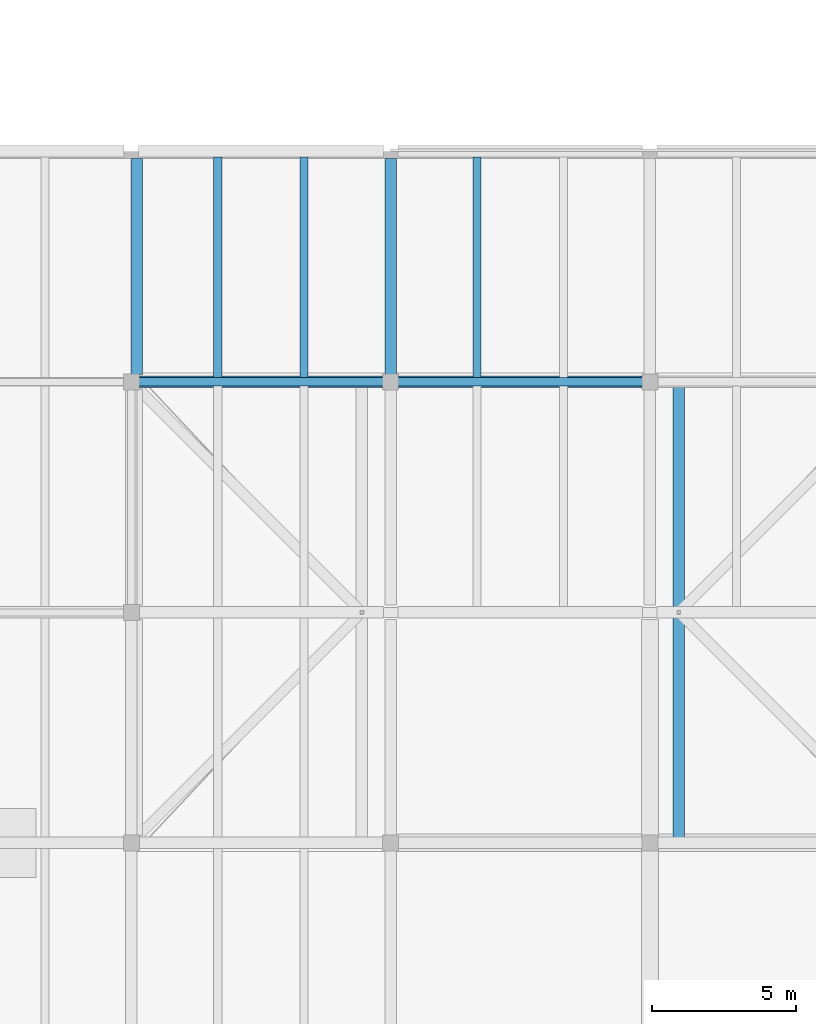
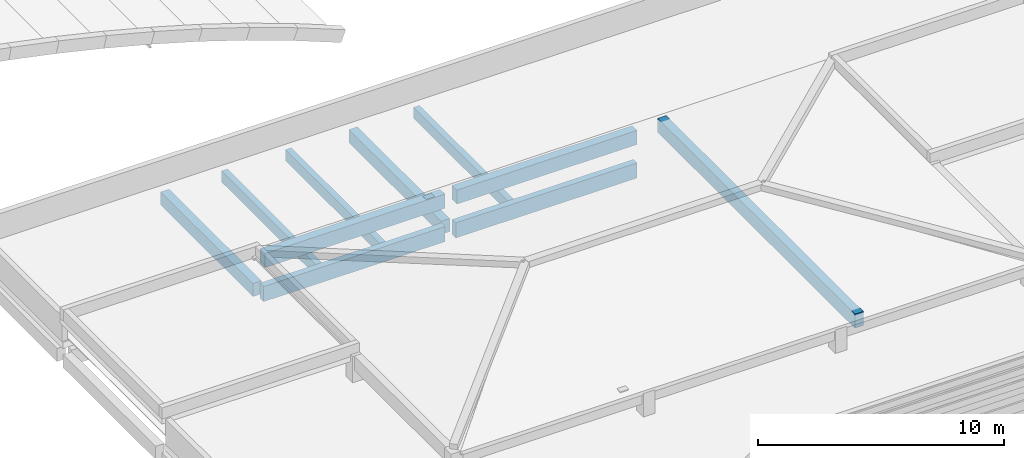
# One storey, part 26 of 56: 10 beams.
"""IFC4 building model written with IfcOpenShell, lengths in metres."""

import ifcopenshell
import ifcopenshell.guid

model = None  # the IFC model being written
_history = None  # IfcOwnerHistory: only IFC2X3 demands one
_inside = {}  # id of a spatial element -> (the spatial element, [elements in it])
_under = {}  # id of a project, library or spatial element -> (it, [spatial elements below it])
_declared = {}  # id of a project -> (the project, [libraries it declares])
_typed = {}  # id of a type object -> (the type object, [elements of that type])
_made_of = {}  # id of a material, layer set ... -> (it, [elements and type objects made of it])


def new_model(schema):
    """Start an empty IFC model of exactly this schema.

    Asked for "IFC4X3", IfcOpenShell would pick the latest addendum, in which some entities
    have other attributes; the version numbers below select the first issue.
    IFC2X3 requires an IfcOwnerHistory on every rooted entity: one is made here for all.
    """
    global model, _history
    if schema == "IFC4X3":
        model = ifcopenshell.file(schema_version=(4, 3, 0, 0))
    else:
        model = ifcopenshell.file(schema=schema)
    _inside.clear()
    _under.clear()
    _declared.clear()
    _typed.clear()
    _made_of.clear()
    _history = None
    if model.schema == "IFC2X3":
        org = make("IfcOrganization", Name="unknown")
        user = make(
            "IfcPersonAndOrganization",
            ThePerson=make("IfcPerson", FamilyName="unknown"),
            TheOrganization=org,
        )
        app = make(
            "IfcApplication",
            ApplicationDeveloper=org,
            Version="unknown",
            ApplicationFullName="unknown",
            ApplicationIdentifier="unknown",
        )
        _history = make(
            "IfcOwnerHistory",
            OwningUser=user,
            OwningApplication=app,
            ChangeAction="ADDED",
            CreationDate=0,
        )
    return model


def make(cls, **values):
    """One entity of the class cls with the attributes given. An attribute that is None is left unset."""
    return model.create_entity(
        cls, **{name: value for name, value in values.items() if value is not None}
    )


def rooted(cls, **values):
    """An entity with a GlobalId (a new one), such as an element, a storey or a relation."""
    return make(cls, GlobalId=ifcopenshell.guid.new(), OwnerHistory=_history, **values)


def si_unit(unit_type, name, prefix=None):
    """IfcSIUnit, for example si_unit("LENGTHUNIT", "METRE", prefix="MILLI")."""
    return make("IfcSIUnit", UnitType=unit_type, Prefix=prefix, Name=name)


def assignment(units):
    """IfcUnitAssignment: the units of a project."""
    return None if units is None else make("IfcUnitAssignment", Units=units)


def point(xyz):
    """IfcCartesianPoint."""
    return None if xyz is None else make("IfcCartesianPoint", Coordinates=xyz)


def direction(xyz):
    """IfcDirection."""
    return None if xyz is None else make("IfcDirection", DirectionRatios=xyz)


def frame(location, z_axis=None, x_axis=None):
    """IfcAxis2Placement3D, a coordinate frame: its origin and axes. An axis left out is left unset."""
    return make(
        "IfcAxis2Placement3D",
        Location=point(location),
        Axis=direction(z_axis),
        RefDirection=direction(x_axis),
    )


def frame_2d(location, x_axis=None):
    """IfcAxis2Placement2D, a coordinate frame in the plane: its origin and x axis."""
    return make(
        "IfcAxis2Placement2D", Location=point(location), RefDirection=direction(x_axis)
    )


def origin():
    """The frame at (0, 0, 0) with its axes left unset."""
    return frame((0.0, 0.0, 0.0))


def origin_2d():
    """The frame at (0, 0) in the plane with its x axis left unset."""
    return frame_2d((0.0, 0.0))


def place(relative_to, where):
    """IfcLocalPlacement: puts the frame where relative to a parent placement (None: the world)."""
    return make(
        "IfcLocalPlacement", PlacementRelTo=relative_to, RelativePlacement=where
    )


def context(
    kind, dimensions, precision=None, world=None, true_north=None, identifier=None
):
    """IfcGeometricRepresentationContext, for example the 3D "Model" context."""
    return make(
        "IfcGeometricRepresentationContext",
        ContextIdentifier=identifier,
        ContextType=kind,
        CoordinateSpaceDimension=dimensions,
        Precision=precision,
        WorldCoordinateSystem=world,
        TrueNorth=true_north,
    )


def subcontext(parent, identifier, kind, view, scale=None):
    """IfcGeometricRepresentationSubContext, for example "Body" below "Model"."""
    return make(
        "IfcGeometricRepresentationSubContext",
        ContextIdentifier=identifier,
        ContextType=kind,
        ParentContext=parent,
        TargetScale=scale,
        TargetView=view,
    )


def project(units=None, contexts=None):
    """IfcProject with its units and contexts."""
    return rooted(
        "IfcProject",
        Name="project",
        RepresentationContexts=contexts,
        UnitsInContext=assignment(units),
    )


def spatial(cls, under=None, at=None, **own):
    """A site, building, storey or space (cls), placed at a placement, below another one or the project."""
    s = rooted(cls, ObjectPlacement=at, **own)
    if under is not None:
        _under.setdefault(under.id(), (under, []))[1].append(s)
    return s


def profile(cls, at=None, kind="AREA", **sizes):
    """A parametric profile (cls). Its sizes go by their IFC names, for example OverallWidth=200.0."""
    return make(cls, ProfileType=kind, Position=at, **sizes)


def rectangle(**sizes):
    """IfcRectangleProfileDef."""
    return profile("IfcRectangleProfileDef", **sizes)


def extrude(swept, where, along, depth):
    """IfcExtrudedAreaSolid: the profile swept, set in the frame where, extruded along a direction by depth."""
    return make(
        "IfcExtrudedAreaSolid",
        SweptArea=swept,
        Position=where,
        ExtrudedDirection=direction(along),
        Depth=depth,
    )


def shape(context_of_items, identifier, shape_type, items):
    """IfcShapeRepresentation: the items that make up one representation, for example the "Body"."""
    return make(
        "IfcShapeRepresentation",
        ContextOfItems=context_of_items,
        RepresentationIdentifier=identifier,
        RepresentationType=shape_type,
        Items=items,
    )


def material(Name=None, Category=None):
    """IfcMaterial."""
    return make("IfcMaterial", Name=Name, Category=Category)


def material_profile(
    of_material, cross_section, Name=None, Category=None, Priority=None
):
    """IfcMaterialProfile: a cross section and its material."""
    return make(
        "IfcMaterialProfile",
        Name=Name,
        Material=of_material,
        Profile=cross_section,
        Priority=Priority,
        Category=Category,
    )


def profile_set(profiles, Name=None, composite=None):
    """IfcMaterialProfileSet."""
    return make(
        "IfcMaterialProfileSet",
        Name=Name,
        MaterialProfiles=profiles,
        CompositeProfile=composite,
    )


def made_of(thing, what):
    """Note that an element or type object is made of a material, layer set ...; save() writes the relation."""
    if what is not None:
        _made_of.setdefault(what.id(), (what, []))[1].append(thing)
    return thing


def type_object(cls, material=None, **own):
    """A type object (cls), such as IfcWallType, which elements share."""
    return made_of(rooted(cls, **own), material)


def element(
    cls,
    number,
    at=None,
    inside=None,
    cuts=None,
    type_object=None,
    material=None,
    context=None,
    identifier="Body",
    shape_type=None,
    held_by="IfcProductDefinitionShape",
    body=None,
    shapes=None,
    **own,
):
    """One element of the class cls, such as IfcWall. Its Tag is "e" and its number.

    at: its placement. inside: the storey or other place that contains it. cuts: it is an
    opening in that element (IfcRelVoidsElement). A single representation is given by context,
    identifier, shape_type and body (its items); several are given by shapes. held_by: the class
    of the entity that holds the representations. save() writes the other relations.
    """
    e = rooted(cls, Tag="e%d" % number, ObjectPlacement=at, **own)
    if body is not None:
        shapes = [shape(context, identifier, shape_type, body)]
    if shapes is not None:
        e.Representation = make(held_by, Representations=shapes)
    if inside is not None:
        _inside.setdefault(inside.id(), (inside, []))[1].append(e)
    if cuts is not None:
        rooted(
            "IfcRelVoidsElement", RelatingBuildingElement=cuts, RelatedOpeningElement=e
        )
    if type_object is not None:
        _typed.setdefault(type_object.id(), (type_object, []))[1].append(e)
    return made_of(e, material)


def aggregate(whole, parts):
    """IfcRelAggregates: a whole, such as a stair, and the parts it consists of."""
    return rooted("IfcRelAggregates", RelatingObject=whole, RelatedObjects=parts)


def save(model, path):
    """Write the relations noted so far, then the file.

    IfcRelAggregates (storeys below a building ...), IfcRelContainedInSpatialStructure (elements
    in a storey), IfcRelDefinesByType, IfcRelAssociatesMaterial and IfcRelDeclares: one each for
    every whole, place, type object, material and project.
    """
    for whole, parts in _under.values():
        aggregate(whole, parts)
    for where, things in _inside.values():
        rooted(
            "IfcRelContainedInSpatialStructure",
            RelatedElements=things,
            RelatingStructure=where,
        )
    for kind, things in _typed.values():
        rooted("IfcRelDefinesByType", RelatedObjects=things, RelatingType=kind)
    for what, things in _made_of.values():
        rooted("IfcRelAssociatesMaterial", RelatedObjects=things, RelatingMaterial=what)
    for by, libraries in _declared.values():
        rooted("IfcRelDeclares", RelatingContext=by, RelatedDefinitions=libraries)
    model.write(path)


model = new_model("IFC4")

# Units and contexts
model_context = context("Model", 3, precision=1e-05, world=origin(), true_north=direction((0.0, 1.0)))
body_context = subcontext(model_context, "Body", "Model", "MODEL_VIEW")
ifc_project = project(units=[si_unit("LENGTHUNIT", "METRE"), si_unit("AREAUNIT", "SQUARE_METRE"), si_unit("VOLUMEUNIT", "CUBIC_METRE"), si_unit("PLANEANGLEUNIT", "RADIAN"), si_unit("MASSUNIT", "GRAM", prefix="KILO")], contexts=[model_context])

# Site, building, storey
site_placement = place(None, origin())
site = spatial("IfcSite", under=ifc_project, at=site_placement, CompositionType="ELEMENT")
building_placement = place(site_placement, origin())
building = spatial("IfcBuilding", under=site, at=building_placement, Name="Zacnel Wholesale Market", CompositionType="ELEMENT")
storey_placement = place(building_placement, frame((0.0, 0.0, 20.300048828125)))
storey = spatial("IfcBuildingStorey", under=building, at=storey_placement, Name="RF", CompositionType="ELEMENT", Elevation=20.300048828125)

# Beams
ifc_material_1 = material(Name="Precast concrete C45/55", Category="concrete")
ifc_material_profile_1 = material_profile(ifc_material_1, rectangle(XDim=0.280029296875, YDim=0.550048828125, at=origin_2d()), Name="DT RIB 280x550")
ifc_profile_set_1 = profile_set([ifc_material_profile_1], Name="Precast concrete C45/55")
beam_type_1 = type_object("IfcBeamType", Name="BM-DT550", PredefinedType="JOIST", material=ifc_profile_set_1)
for number, where, z_axis, x_axis, name in (
    (1, (165.0, 24.14990234375, -0.574951171875), (0.0, 1.0, 0.0), (-1.0, 0.0, 0.0), "Precast secondary joist RF-0819"),
    (2, (168.0, 24.14990234375, -0.574951171875), (0.0, 1.0, 0.0), (-1.0, 0.0, 0.0), "Precast secondary joist RF-0820"),
    (3, (174.0, 24.14990234375, -0.574951171875), (0.0, 1.0, 0.0), (-1.0, 0.0, 0.0), "Precast secondary joist RF-0821"),
):
    element("IfcBeam", number, at=place(storey_placement, frame(where, z_axis=z_axis, x_axis=x_axis)), inside=storey, type_object=beam_type_1, Name=name, PredefinedType="JOIST", context=body_context, shape_type="SweptSolid", body=[
        extrude(rectangle(XDim=0.280029296875, YDim=0.550048828125, at=origin_2d()), origin(), (0.0, 0.0, 1.0), 7.650146484375),
    ])
ifc_material_2 = material(Name="Precast concrete C45/55", Category="concrete")
ifc_material_profile_2 = material_profile(ifc_material_2, rectangle(XDim=0.39990234375, YDim=0.64990234375, at=origin_2d()), Name="PG 400x650")
ifc_profile_set_2 = profile_set([ifc_material_profile_2], Name="Precast concrete C45/55")
beam_type_2 = type_object("IfcBeamType", Name="BM-PG650", PredefinedType="BEAM", material=ifc_profile_set_2)
for number, where, z_axis, x_axis, name in (
    (4, (162.179931640625, 24.25, -0.625), (0.0, 1.0, 0.0), (-1.0, 0.0, 0.0), "Precast girder Y-1501"),
    (5, (171.0, 24.25, -0.625), (0.0, 1.0, 0.0), (-1.0, 0.0, 0.0), "Precast girder Y-1505"),
):
    element("IfcBeam", number, at=place(storey_placement, frame(where, z_axis=z_axis, x_axis=x_axis)), inside=storey, type_object=beam_type_2, Name=name, PredefinedType="BEAM", context=body_context, shape_type="SweptSolid", body=[
        extrude(rectangle(XDim=0.39990234375, YDim=0.64990234375, at=origin_2d()), origin(), (0.0, 0.0, 1.0), 7.5),
    ])
ifc_material_3 = material(Name="Precast concrete C45/55", Category="concrete")
ifc_material_profile_3 = material_profile(ifc_material_3, rectangle(XDim=0.39990234375, YDim=0.699951171875, at=origin_2d()), Name="PG 400x700")
ifc_profile_set_3 = profile_set([ifc_material_profile_3], Name="Precast concrete C45/55")
beam_type_3 = type_object("IfcBeamType", Name="BM-PG700", PredefinedType="BEAM", material=ifc_profile_set_3)
for number, where, z_axis, x_axis, name in (
    (6, (162.280029296875, 24.0, 1.0), (1.0, 0.0, 0.0), (0.0, 1.0, 0.0), "Attic crown girder X V5ZIG-04"),
    (7, (171.280029296875, 24.0, 1.0), (1.0, 0.0, 0.0), (0.0, 1.0, 0.0), "Attic crown girder X V5ZIG-05"),
):
    element("IfcBeam", number, at=place(storey_placement, frame(where, z_axis=z_axis, x_axis=x_axis)), inside=storey, type_object=beam_type_3, Name=name, PredefinedType="BEAM", context=body_context, shape_type="SweptSolid", body=[
        extrude(rectangle(XDim=0.39990234375, YDim=0.699951171875, at=origin_2d()), origin(), (0.0, 0.0, 1.0), 8.43994140625),
    ])
beam_placement = place(storey_placement, frame((181.0, 8.0, 1.099853515625), z_axis=(0.0, 1.0, 0.0), x_axis=(-1.0, 0.0, 0.0)))
element("IfcBeam", 8, at=beam_placement, inside=storey, type_object=beam_type_3, Name="Hipped crown tie beam STR-ROOF-V5ZIG-2", PredefinedType="BEAM", context=body_context, shape_type="SweptSolid", body=[
    extrude(rectangle(XDim=0.39990234375, YDim=0.699951171875, at=origin_2d()), origin(), (0.0, 0.0, 1.0), 16.0),
])
ifc_material_4 = material(Name="Precast concrete C45/55", Category="concrete")
ifc_material_profile_4 = material_profile(ifc_material_4, rectangle(XDim=0.300048828125, YDim=0.75, at=origin_2d()), Name="SP 300x750")
ifc_profile_set_4 = profile_set([ifc_material_profile_4], Name="Precast concrete C45/55")
beam_type_4 = type_object("IfcBeamType", Name="BM-SP750", PredefinedType="SPANDREL", material=ifc_profile_set_4)
for number, where, z_axis, x_axis, name in (
    (9, (162.25, 24.0, -0.675048828125), (1.0, 0.0, 0.0), (0.0, 1.0, 0.0), "Precast girder X-1343"),
    (10, (171.25, 24.0, -0.675048828125), (1.0, 0.0, 0.0), (0.0, 1.0, 0.0), "Precast girder X-1344"),
):
    element("IfcBeam", number, at=place(storey_placement, frame(where, z_axis=z_axis, x_axis=x_axis)), inside=storey, type_object=beam_type_4, Name=name, PredefinedType="SPANDREL", context=body_context, shape_type="SweptSolid", body=[
        extrude(rectangle(XDim=0.300048828125, YDim=0.75, at=origin_2d()), origin(), (0.0, 0.0, 1.0), 8.5),
    ])

save(model, "model.ifc")
